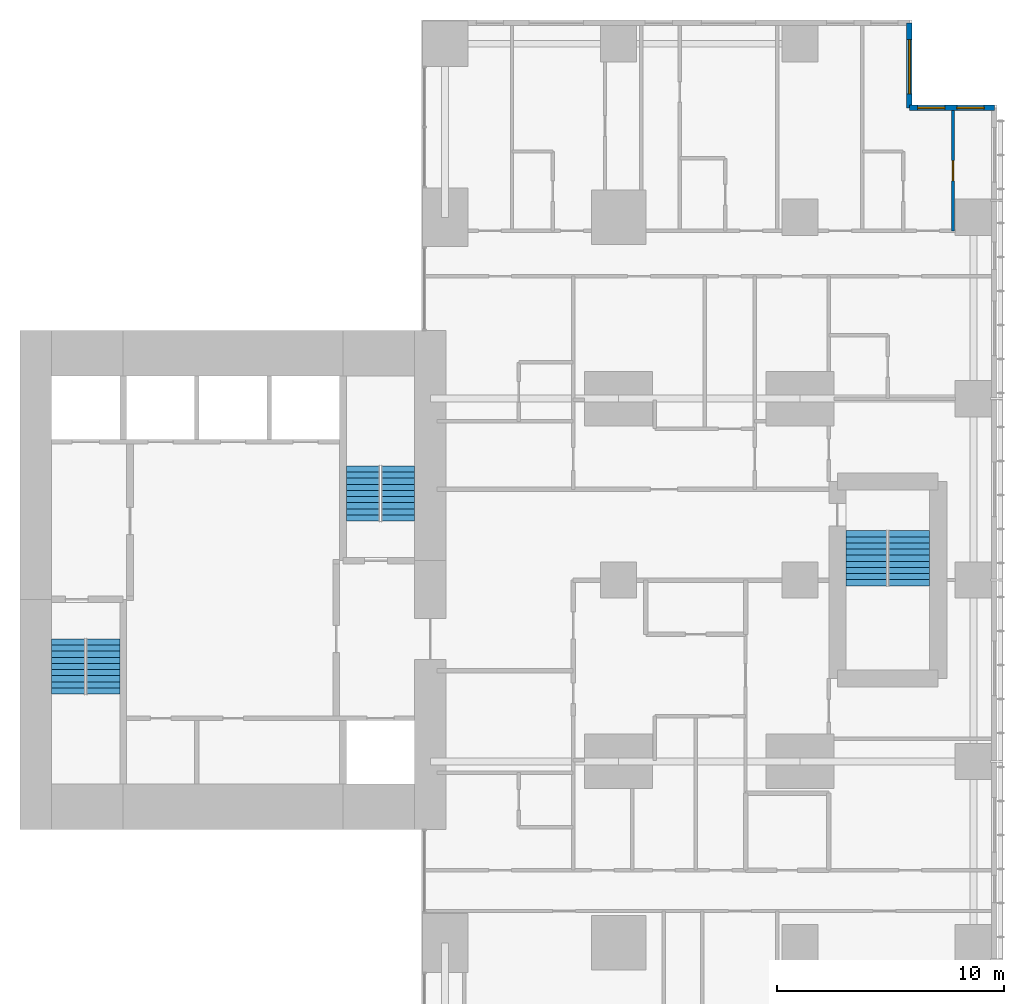
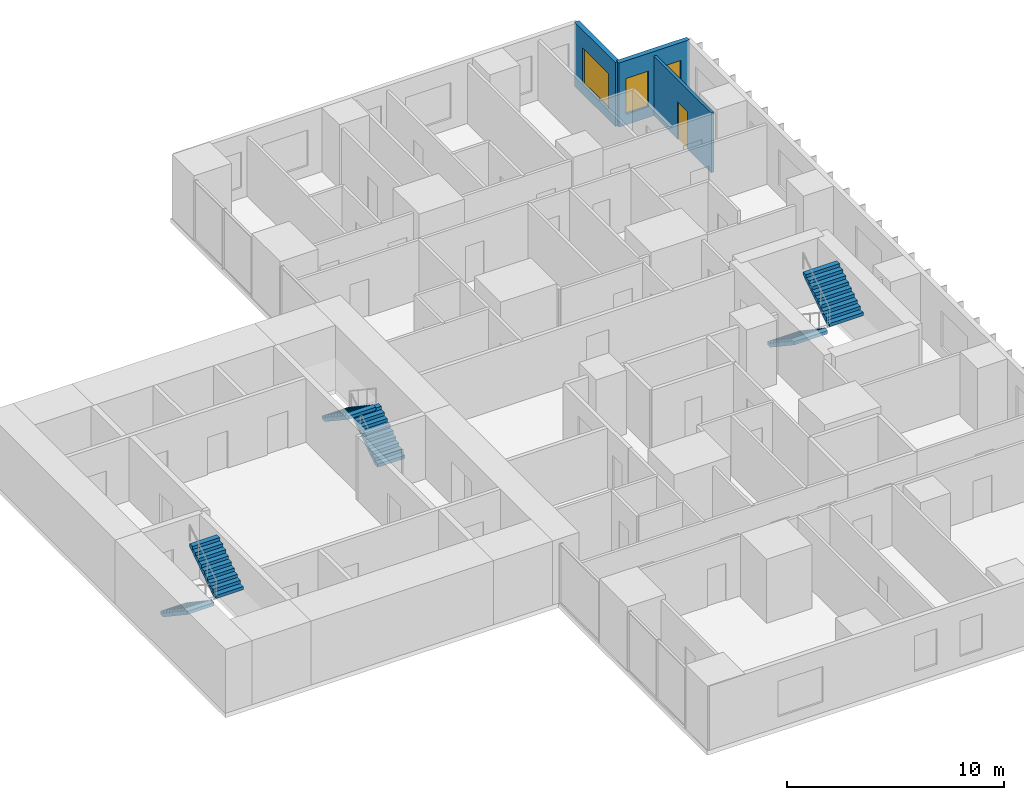
# One storey, part 11 of 12: 6 stair flights, 3 walls, 3 windows, 1 door, 4 openings, 3 elements without a shape of their own.
"""IFC4 building model written with IfcOpenShell, lengths in metres."""

from ifc_helpers import new_model, si_unit, direction, frame, frame_2d, origin, place, context, subcontext, project, spatial, polyline, rectangle, outline, extrude, material, layer, layer_set, type_object, element, fill, aggregate, save


model = new_model("IFC4")

# Units and contexts
model_context = context("Model", 3, precision=1e-05, world=origin(), true_north=direction((0.0, 1.0)))
body_context = subcontext(model_context, "Body", "Model", "MODEL_VIEW")
ifc_project = project(units=[si_unit("LENGTHUNIT", "METRE"), si_unit("AREAUNIT", "SQUARE_METRE"), si_unit("VOLUMEUNIT", "CUBIC_METRE"), si_unit("PLANEANGLEUNIT", "RADIAN"), si_unit("MASSUNIT", "GRAM", prefix="KILO")], contexts=[model_context])

# Site, building, storey
site_placement = place(None, origin())
site = spatial("IfcSite", under=ifc_project, at=site_placement, CompositionType="ELEMENT")
building_placement = place(site_placement, origin())
building = spatial("IfcBuilding", under=site, at=building_placement, Name="Cleftline Residences", CompositionType="ELEMENT")
storey_placement = place(building_placement, frame((0.0, 0.0, 259.199951171875)))
storey = spatial("IfcBuildingStorey", under=building, at=storey_placement, Name="L68", CompositionType="ELEMENT", Elevation=259.199951171875)

# Wall, openings, windows
ifc_material_1 = material(Name="Rendered reinforced concrete blockwork", Category="masonry")
ifc_layer_1 = layer(ifc_material_1, 0.25)
ifc_layer_set_1 = layer_set([ifc_layer_1], Name="EXTERNAL WALL 250")
wall_type_1 = type_object("IfcWallType", Name="EXTERNAL WALL 250", PredefinedType="SOLIDWALL", material=ifc_layer_set_1)
wall_1_placement = place(storey_placement, frame((66.574951171875, 44.824951171875, 0.0), z_axis=(0.0, 0.0, 1.0), x_axis=(-1.0, 0.0, 0.0)))
wall_1 = element("IfcWall", 1, at=wall_1_placement, inside=storey, type_object=wall_type_1, Name="External wall", PredefinedType="SOLIDWALL", context=body_context, shape_type="SweptSolid", body=[
    extrude(rectangle(XDim=3.75, YDim=0.25, at=frame_2d((1.875, 0.0))), origin(), (0.0, 0.0, 1.0), 3.60009765625),
])
opening_1_placement = place(wall_1_placement, frame((0.449951171875, 0.0, 0.60009765625)))
opening_1 = element("IfcOpeningElement", 2, at=opening_1_placement, cuts=wall_1, Name="Opening W8", PredefinedType="OPENING", context=body_context, shape_type="SweptSolid", body=[
    extrude(rectangle(XDim=1.199951171875, YDim=2.0, at=frame_2d((0.60009765625, 1.0))), frame((0.0, 0.135009765625, 0.0), z_axis=(0.0, -1.0, 0.0), x_axis=(1.0, 0.0, 0.0)), (0.0, 0.0, 1.0), 0.27001953125),
])
opening_2_placement = place(wall_1_placement, frame((2.1875, 0.0, 0.60009765625)))
opening_2 = element("IfcOpeningElement", 3, at=opening_2_placement, cuts=wall_1, Name="Opening W8", PredefinedType="OPENING", context=body_context, shape_type="SweptSolid", body=[
    extrude(rectangle(XDim=1.199951171875, YDim=2.0, at=frame_2d((0.60009765625, 1.0))), frame((0.0, 0.135009765625, 0.0), z_axis=(0.0, -1.0, 0.0), x_axis=(1.0, 0.0, 0.0)), (0.0, 0.0, 1.0), 0.27001953125),
])
ifc_material_2 = material(Name="Aluminium frame, clear double glazing", Category="aluminium")
window_type_1 = type_object("IfcWindowType", Name="WINDOW 1200X2000", PartitioningType="DOUBLE_PANEL_VERTICAL", PredefinedType="WINDOW", material=ifc_material_2)
window_1_placement = place(opening_1_placement, origin())
window_1 = element("IfcWindow", 4, at=window_1_placement, inside=storey, type_object=window_type_1, Name="Window", OverallHeight=2.0, OverallWidth=1.199951171875, PartitioningType="SINGLE_PANEL", PredefinedType="WINDOW", context=body_context, shape_type="SweptSolid", body=[
    extrude(rectangle(XDim=1.199951171875, YDim=2.0, at=frame_2d((0.60009765625, 1.0))), frame((0.0, 0.030029296875, 0.0), z_axis=(0.0, -1.0, 0.0), x_axis=(1.0, 0.0, 0.0)), (0.0, 0.0, 1.0), 0.06005859375),
])
fill(opening_1, window_1)
window_2_placement = place(opening_2_placement, origin())
window_2 = element("IfcWindow", 5, at=window_2_placement, inside=storey, type_object=window_type_1, Name="Window", OverallHeight=2.0, OverallWidth=1.199951171875, PartitioningType="SINGLE_PANEL", PredefinedType="WINDOW", context=body_context, shape_type="SweptSolid", body=[
    extrude(rectangle(XDim=1.199951171875, YDim=2.0, at=frame_2d((0.60009765625, 1.0))), frame((0.0, 0.030029296875, 0.0), z_axis=(0.0, -1.0, 0.0), x_axis=(1.0, 0.0, 0.0)), (0.0, 0.0, 1.0), 0.06005859375),
])
fill(opening_2, window_2)

# Wall, opening, window
wall_2_placement = place(storey_placement, frame((62.824951171875, 44.824951171875, 0.0), z_axis=(0.0, 0.0, 1.0), x_axis=(0.0, 1.0, 0.0)))
wall_2 = element("IfcWall", 6, at=wall_2_placement, inside=storey, type_object=wall_type_1, Name="External wall", PredefinedType="SOLIDWALL", context=body_context, shape_type="SweptSolid", body=[
    extrude(rectangle(XDim=3.75, YDim=0.25, at=frame_2d((1.875, 0.0))), origin(), (0.0, 0.0, 1.0), 3.60009765625),
])
opening_3_placement = place(wall_2_placement, frame((0.612548828125, 0.0, 0.60009765625)))
opening_3 = element("IfcOpeningElement", 7, at=opening_3_placement, cuts=wall_2, Name="Opening W6", PredefinedType="OPENING", context=body_context, shape_type="SweptSolid", body=[
    extrude(rectangle(XDim=2.39990234375, YDim=2.0, at=frame_2d((1.199951171875, 1.0))), frame((0.0, 0.135009765625, 0.0), z_axis=(0.0, -1.0, 0.0), x_axis=(1.0, 0.0, 0.0)), (0.0, 0.0, 1.0), 0.27001953125),
])
ifc_material_3 = material(Name="Aluminium frame, clear double glazing", Category="aluminium")
window_type_2 = type_object("IfcWindowType", Name="WINDOW 2400X2000", PartitioningType="DOUBLE_PANEL_VERTICAL", PredefinedType="WINDOW", material=ifc_material_3)
window_3_placement = place(opening_3_placement, origin())
window_3 = element("IfcWindow", 8, at=window_3_placement, inside=storey, type_object=window_type_2, Name="Window", OverallHeight=2.0, OverallWidth=2.39990234375, PartitioningType="SINGLE_PANEL", PredefinedType="WINDOW", context=body_context, shape_type="SweptSolid", body=[
    extrude(rectangle(XDim=2.39990234375, YDim=2.0, at=frame_2d((1.199951171875, 1.0))), frame((0.0, 0.030029296875, 0.0), z_axis=(0.0, -1.0, 0.0), x_axis=(1.0, 0.0, 0.0)), (0.0, 0.0, 1.0), 0.06005859375),
])
fill(opening_3, window_3)

# Wall, opening, door
ifc_material_4 = material(Name="Gypsum board on steel studs", Category="steel")
ifc_layer_2 = layer(ifc_material_4, 0.14990234375)
ifc_layer_set_2 = layer_set([ifc_layer_2], Name="PARTITION 150")
wall_type_2 = type_object("IfcWallType", Name="PARTITION 150", PredefinedType="PARTITIONING", material=ifc_layer_set_2)
wall_3_placement = place(storey_placement, frame((64.75, 39.39990234375, 0.0), z_axis=(0.0, 0.0, 1.0), x_axis=(0.0, 1.0, 0.0)))
wall_3 = element("IfcWall", 9, at=wall_3_placement, inside=storey, type_object=wall_type_2, Name="Partition", PredefinedType="PARTITIONING", context=body_context, shape_type="SweptSolid", body=[
    extrude(rectangle(XDim=5.300048828125, YDim=0.14990234375, at=frame_2d((2.64990234375, 0.0))), origin(), (0.0, 0.0, 1.0), 3.35009765625),
])
opening_4_placement = place(wall_3_placement, frame((2.199951171875, 0.0, 0.0)))
opening_4 = element("IfcOpeningElement", 10, at=opening_4_placement, cuts=wall_3, Name="Opening D1", PredefinedType="OPENING", context=body_context, shape_type="SweptSolid", body=[
    extrude(rectangle(XDim=0.89990234375, YDim=2.10009765625, at=frame_2d((0.449951171875, 1.050048828125))), frame((0.0, 0.0849609375, 0.0), z_axis=(0.0, -1.0, 0.0), x_axis=(1.0, 0.0, 0.0)), (0.0, 0.0, 1.0), 0.169921875),
])
ifc_material_5 = material(Name="Timber veneer on solid core", Category="wood")
door_type = type_object("IfcDoorType", Name="DOOR 900X2100", OperationType="SINGLE_SWING_LEFT", PredefinedType="DOOR", material=ifc_material_5)
door_placement = place(opening_4_placement, origin())
door = element("IfcDoor", 11, at=door_placement, inside=storey, type_object=door_type, Name="Door to walk-in wardrobe", OperationType="SINGLE_SWING_LEFT", OverallHeight=2.10009765625, OverallWidth=0.89990234375, PredefinedType="DOOR", context=body_context, shape_type="SweptSolid", body=[
    extrude(rectangle(XDim=0.89990234375, YDim=2.10009765625, at=frame_2d((0.449951171875, 1.050048828125))), frame((0.0, 0.02490234375, 0.0), z_axis=(0.0, -1.0, 0.0), x_axis=(1.0, 0.0, 0.0)), (0.0, 0.0, 1.0), 0.050048828125),
])
fill(opening_4, door)

# Stair, stair flights
ifc_material_6 = material(Name="Concrete B45, stone treads", Category="masonry")
stair_type_1 = type_object("IfcStairType", Name="STAIR A 1450 WIDE 180 RISER", PredefinedType="HALF_TURN_STAIR", material=ifc_material_6)
stair_1_placement = place(storey_placement, origin())
stair_1 = element("IfcStair", 12, at=stair_1_placement, inside=storey, type_object=stair_type_1, Name="Stair A L68", PredefinedType="HALF_TURN_STAIR")
ifc_material_7 = material(Name="Concrete B45", Category="concrete")
stair_flight_type_1 = type_object("IfcStairFlightType", Name="STAIR A FLIGHT 1450X180", PredefinedType="STRAIGHT", material=ifc_material_7)
stair_flight_1_placement = place(storey_placement, frame((25.72509765625, 21.39990234375, 0.0), z_axis=(0.0, 0.0, 1.0), x_axis=(0.0, -1.0, 0.0)))
stair_flight_1 = element("IfcStairFlight", 13, at=stair_flight_1_placement, type_object=stair_flight_type_1, Name="ST-A flight 1", NumberOfRisers=10, NumberOfTreads=9, PredefinedType="STRAIGHT", RiserHeight=0.18, TreadLength=0.27, context=body_context, shape_type="SweptSolid", body=[
    extrude(outline(polyline([(0.0, 0.0), (0.0, 0.013916015625), (0.0, 0.027587890625), (0.0, 0.04150390625), (0.0, 0.055419921875), (0.0, 0.0693359375), (0.0, 0.0830078125), (0.0, 0.096923828125), (0.0, 0.11083984375), (0.0, 0.12451171875), (0.0, 0.138427734375), (0.0, 0.15234375), (0.0, 0.166259765625), (0.0, 0.179931640625), (0.27001953125, 0.179931640625), (0.27001953125, 0.360107421875), (0.5400390625, 0.360107421875), (0.5400390625, 0.5400390625), (0.81005859375, 0.5400390625), (0.81005859375, 0.719970703125), (1.080078125, 0.719970703125), (1.080078125, 0.89990234375), (1.35009765625, 0.89990234375), (1.35009765625, 1.080078125), (1.6201171875, 1.080078125), (1.6201171875, 1.260009765625), (1.889892578125, 1.260009765625), (1.889892578125, 1.43994140625), (2.159912109375, 1.43994140625), (2.159912109375, 1.6201171875), (2.429931640625, 1.6201171875), (2.429931640625, 1.800048828125), (2.429931640625, 1.772216796875), (2.429931640625, 1.74462890625), (2.429931640625, 1.716796875), (2.429931640625, 1.689208984375), (2.429931640625, 1.661376953125), (2.429931640625, 1.6337890625), (2.429931640625, 1.60595703125), (2.429931640625, 1.578369140625), (2.429931640625, 1.550537109375), (2.429931640625, 1.52294921875), (2.429931640625, 1.495361328125), (2.429931640625, 1.467529296875), (2.429931640625, 1.43994140625), (0.270263671875, 0.0), (0.0, 0.0)])), frame((0.0, 0.72509765625, 0.0), z_axis=(0.0, -1.0, 0.0), x_axis=(1.0, 0.0, 0.0)), (0.0, 0.0, 1.0), 1.449951171875),
])
stair_flight_2_placement = place(storey_placement, frame((27.27490234375, 18.969970703125, 1.800048828125), z_axis=(0.0, 0.0, 1.0), x_axis=(0.0, 1.0, 0.0)))
stair_flight_2 = element("IfcStairFlight", 14, at=stair_flight_2_placement, type_object=stair_flight_type_1, Name="ST-A flight 2", NumberOfRisers=10, NumberOfTreads=9, PredefinedType="STRAIGHT", RiserHeight=0.18, TreadLength=0.27, context=body_context, shape_type="SweptSolid", body=[
    extrude(outline(polyline([(0.0, 0.0), (0.0, 0.013916015625), (0.0, 0.027587890625), (0.0, 0.04150390625), (0.0, 0.055419921875), (0.0, 0.0693359375), (0.0, 0.0830078125), (0.0, 0.096923828125), (0.0, 0.11083984375), (0.0, 0.12451171875), (0.0, 0.138427734375), (0.0, 0.15234375), (0.0, 0.166259765625), (0.0, 0.179931640625), (0.27001953125, 0.179931640625), (0.27001953125, 0.360107421875), (0.5400390625, 0.360107421875), (0.5400390625, 0.5400390625), (0.81005859375, 0.5400390625), (0.81005859375, 0.719970703125), (1.080078125, 0.719970703125), (1.080078125, 0.89990234375), (1.35009765625, 0.89990234375), (1.35009765625, 1.080078125), (1.6201171875, 1.080078125), (1.6201171875, 1.260009765625), (1.889892578125, 1.260009765625), (1.889892578125, 1.43994140625), (2.159912109375, 1.43994140625), (2.159912109375, 1.6201171875), (2.429931640625, 1.6201171875), (2.429931640625, 1.800048828125), (2.429931640625, 1.772216796875), (2.429931640625, 1.74462890625), (2.429931640625, 1.716796875), (2.429931640625, 1.689208984375), (2.429931640625, 1.661376953125), (2.429931640625, 1.6337890625), (2.429931640625, 1.60595703125), (2.429931640625, 1.578369140625), (2.429931640625, 1.550537109375), (2.429931640625, 1.52294921875), (2.429931640625, 1.495361328125), (2.429931640625, 1.467529296875), (2.429931640625, 1.43994140625), (0.270263671875, 0.0), (0.0, 0.0)])), frame((0.0, 0.72509765625, 0.0), z_axis=(0.0, -1.0, 0.0), x_axis=(1.0, 0.0, 0.0)), (0.0, 0.0, 1.0), 1.449951171875),
])
aggregate(stair_1, [stair_flight_1, stair_flight_2])

ifc_material_8 = material(Name="Concrete B45, stone treads", Category="masonry")
stair_type_2 = type_object("IfcStairType", Name="STAIR B 1450 WIDE 180 RISER", PredefinedType="HALF_TURN_STAIR", material=ifc_material_8)
stair_2_placement = place(storey_placement, origin())
stair_2 = element("IfcStair", 15, at=stair_2_placement, inside=storey, type_object=stair_type_2, Name="Stair B L68", PredefinedType="HALF_TURN_STAIR")
ifc_material_9 = material(Name="Concrete B45", Category="concrete")
stair_flight_type_2 = type_object("IfcStairFlightType", Name="STAIR B FLIGHT 1450X180", PredefinedType="STRAIGHT", material=ifc_material_9)
stair_flight_3_placement = place(storey_placement, frame((40.27490234375, 26.60009765625, 0.0), z_axis=(0.0, 0.0, 1.0), x_axis=(0.0, 1.0, 0.0)))
stair_flight_3 = element("IfcStairFlight", 16, at=stair_flight_3_placement, type_object=stair_flight_type_2, Name="ST-B flight 1", NumberOfRisers=10, NumberOfTreads=9, PredefinedType="STRAIGHT", RiserHeight=0.18, TreadLength=0.27, context=body_context, shape_type="SweptSolid", body=[
    extrude(outline(polyline([(0.0, 0.0), (0.0, 0.013916015625), (0.0, 0.027587890625), (0.0, 0.04150390625), (0.0, 0.055419921875), (0.0, 0.0693359375), (0.0, 0.0830078125), (0.0, 0.096923828125), (0.0, 0.11083984375), (0.0, 0.12451171875), (0.0, 0.138427734375), (0.0, 0.15234375), (0.0, 0.166259765625), (0.0, 0.179931640625), (0.27001953125, 0.179931640625), (0.27001953125, 0.360107421875), (0.5400390625, 0.360107421875), (0.5400390625, 0.5400390625), (0.81005859375, 0.5400390625), (0.81005859375, 0.719970703125), (1.080078125, 0.719970703125), (1.080078125, 0.89990234375), (1.35009765625, 0.89990234375), (1.35009765625, 1.080078125), (1.6201171875, 1.080078125), (1.6201171875, 1.260009765625), (1.889892578125, 1.260009765625), (1.889892578125, 1.43994140625), (2.159912109375, 1.43994140625), (2.159912109375, 1.6201171875), (2.429931640625, 1.6201171875), (2.429931640625, 1.800048828125), (2.429931640625, 1.772216796875), (2.429931640625, 1.74462890625), (2.429931640625, 1.716796875), (2.429931640625, 1.689208984375), (2.429931640625, 1.661376953125), (2.429931640625, 1.6337890625), (2.429931640625, 1.60595703125), (2.429931640625, 1.578369140625), (2.429931640625, 1.550537109375), (2.429931640625, 1.52294921875), (2.429931640625, 1.495361328125), (2.429931640625, 1.467529296875), (2.429931640625, 1.43994140625), (0.270263671875, 0.0), (0.0, 0.0)])), frame((0.0, 0.72509765625, 0.0), z_axis=(0.0, -1.0, 0.0), x_axis=(1.0, 0.0, 0.0)), (0.0, 0.0, 1.0), 1.449951171875),
])
stair_flight_4_placement = place(storey_placement, frame((38.72509765625, 29.030029296875, 1.800048828125), z_axis=(0.0, 0.0, 1.0), x_axis=(0.0, -1.0, 0.0)))
stair_flight_4 = element("IfcStairFlight", 17, at=stair_flight_4_placement, type_object=stair_flight_type_2, Name="ST-B flight 2", NumberOfRisers=10, NumberOfTreads=9, PredefinedType="STRAIGHT", RiserHeight=0.18, TreadLength=0.27, context=body_context, shape_type="SweptSolid", body=[
    extrude(outline(polyline([(0.0, 0.0), (0.0, 0.013916015625), (0.0, 0.027587890625), (0.0, 0.04150390625), (0.0, 0.055419921875), (0.0, 0.0693359375), (0.0, 0.0830078125), (0.0, 0.096923828125), (0.0, 0.11083984375), (0.0, 0.12451171875), (0.0, 0.138427734375), (0.0, 0.15234375), (0.0, 0.166259765625), (0.0, 0.179931640625), (0.27001953125, 0.179931640625), (0.27001953125, 0.360107421875), (0.5400390625, 0.360107421875), (0.5400390625, 0.5400390625), (0.81005859375, 0.5400390625), (0.81005859375, 0.719970703125), (1.080078125, 0.719970703125), (1.080078125, 0.89990234375), (1.35009765625, 0.89990234375), (1.35009765625, 1.080078125), (1.6201171875, 1.080078125), (1.6201171875, 1.260009765625), (1.889892578125, 1.260009765625), (1.889892578125, 1.43994140625), (2.159912109375, 1.43994140625), (2.159912109375, 1.6201171875), (2.429931640625, 1.6201171875), (2.429931640625, 1.800048828125), (2.429931640625, 1.772216796875), (2.429931640625, 1.74462890625), (2.429931640625, 1.716796875), (2.429931640625, 1.689208984375), (2.429931640625, 1.661376953125), (2.429931640625, 1.6337890625), (2.429931640625, 1.60595703125), (2.429931640625, 1.578369140625), (2.429931640625, 1.550537109375), (2.429931640625, 1.52294921875), (2.429931640625, 1.495361328125), (2.429931640625, 1.467529296875), (2.429931640625, 1.43994140625), (0.270263671875, 0.0), (0.0, 0.0)])), frame((0.0, 0.72509765625, 0.0), z_axis=(0.0, -1.0, 0.0), x_axis=(1.0, 0.0, 0.0)), (0.0, 0.0, 1.0), 1.449951171875),
])
aggregate(stair_2, [stair_flight_3, stair_flight_4])

ifc_material_10 = material(Name="Concrete B45, stone treads", Category="masonry")
stair_type_3 = type_object("IfcStairType", Name="STAIR E 1800 WIDE 180 RISER", PredefinedType="HALF_TURN_STAIR", material=ifc_material_10)
stair_3_placement = place(storey_placement, origin())
stair_3 = element("IfcStair", 18, at=stair_3_placement, inside=storey, type_object=stair_type_3, Name="Stair E L68", PredefinedType="HALF_TURN_STAIR")
ifc_material_11 = material(Name="Concrete B45", Category="concrete")
stair_flight_type_3 = type_object("IfcStairFlightType", Name="STAIR E FLIGHT 1800X180", PredefinedType="STRAIGHT", material=ifc_material_11)
stair_flight_5_placement = place(storey_placement, frame((60.925048828125, 26.175048828125, 0.0), z_axis=(0.0, 0.0, 1.0), x_axis=(0.0, -1.0, 0.0)))
stair_flight_5 = element("IfcStairFlight", 19, at=stair_flight_5_placement, type_object=stair_flight_type_3, Name="ST-E flight 1", NumberOfRisers=10, NumberOfTreads=9, PredefinedType="STRAIGHT", RiserHeight=0.18, TreadLength=0.27, context=body_context, shape_type="SweptSolid", body=[
    extrude(outline(polyline([(0.0, 0.0), (0.0, 0.013916015625), (0.0, 0.027587890625), (0.0, 0.04150390625), (0.0, 0.055419921875), (0.0, 0.0693359375), (0.0, 0.0830078125), (0.0, 0.096923828125), (0.0, 0.11083984375), (0.0, 0.12451171875), (0.0, 0.138427734375), (0.0, 0.15234375), (0.0, 0.166259765625), (0.0, 0.179931640625), (0.27001953125, 0.179931640625), (0.27001953125, 0.360107421875), (0.5400390625, 0.360107421875), (0.5400390625, 0.5400390625), (0.81005859375, 0.5400390625), (0.81005859375, 0.719970703125), (1.080078125, 0.719970703125), (1.080078125, 0.89990234375), (1.35009765625, 0.89990234375), (1.35009765625, 1.080078125), (1.6201171875, 1.080078125), (1.6201171875, 1.260009765625), (1.889892578125, 1.260009765625), (1.889892578125, 1.43994140625), (2.159912109375, 1.43994140625), (2.159912109375, 1.6201171875), (2.429931640625, 1.6201171875), (2.429931640625, 1.800048828125), (2.429931640625, 1.772216796875), (2.429931640625, 1.74462890625), (2.429931640625, 1.716796875), (2.429931640625, 1.689208984375), (2.429931640625, 1.661376953125), (2.429931640625, 1.6337890625), (2.429931640625, 1.60595703125), (2.429931640625, 1.578369140625), (2.429931640625, 1.550537109375), (2.429931640625, 1.52294921875), (2.429931640625, 1.495361328125), (2.429931640625, 1.467529296875), (2.429931640625, 1.43994140625), (0.270263671875, 0.0), (0.0, 0.0)])), frame((0.0, 0.89990234375, 0.0), z_axis=(0.0, -1.0, 0.0), x_axis=(1.0, 0.0, 0.0)), (0.0, 0.0, 1.0), 1.800048828125),
])
stair_flight_6_placement = place(storey_placement, frame((62.824951171875, 23.7451171875, 1.800048828125), z_axis=(0.0, 0.0, 1.0), x_axis=(0.0, 1.0, 0.0)))
stair_flight_6 = element("IfcStairFlight", 20, at=stair_flight_6_placement, type_object=stair_flight_type_3, Name="ST-E flight 2", NumberOfRisers=10, NumberOfTreads=9, PredefinedType="STRAIGHT", RiserHeight=0.18, TreadLength=0.27, context=body_context, shape_type="SweptSolid", body=[
    extrude(outline(polyline([(0.0, 0.0), (0.0, 0.013916015625), (0.0, 0.027587890625), (0.0, 0.04150390625), (0.0, 0.055419921875), (0.0, 0.0693359375), (0.0, 0.0830078125), (0.0, 0.096923828125), (0.0, 0.11083984375), (0.0, 0.12451171875), (0.0, 0.138427734375), (0.0, 0.15234375), (0.0, 0.166259765625), (0.0, 0.179931640625), (0.27001953125, 0.179931640625), (0.27001953125, 0.360107421875), (0.5400390625, 0.360107421875), (0.5400390625, 0.5400390625), (0.81005859375, 0.5400390625), (0.81005859375, 0.719970703125), (1.080078125, 0.719970703125), (1.080078125, 0.89990234375), (1.35009765625, 0.89990234375), (1.35009765625, 1.080078125), (1.6201171875, 1.080078125), (1.6201171875, 1.260009765625), (1.889892578125, 1.260009765625), (1.889892578125, 1.43994140625), (2.159912109375, 1.43994140625), (2.159912109375, 1.6201171875), (2.429931640625, 1.6201171875), (2.429931640625, 1.800048828125), (2.429931640625, 1.772216796875), (2.429931640625, 1.74462890625), (2.429931640625, 1.716796875), (2.429931640625, 1.689208984375), (2.429931640625, 1.661376953125), (2.429931640625, 1.6337890625), (2.429931640625, 1.60595703125), (2.429931640625, 1.578369140625), (2.429931640625, 1.550537109375), (2.429931640625, 1.52294921875), (2.429931640625, 1.495361328125), (2.429931640625, 1.467529296875), (2.429931640625, 1.43994140625), (0.270263671875, 0.0), (0.0, 0.0)])), frame((0.0, 0.89990234375, 0.0), z_axis=(0.0, -1.0, 0.0), x_axis=(1.0, 0.0, 0.0)), (0.0, 0.0, 1.0), 1.800048828125),
])
aggregate(stair_3, [stair_flight_5, stair_flight_6])

save(model, "model.ifc")
